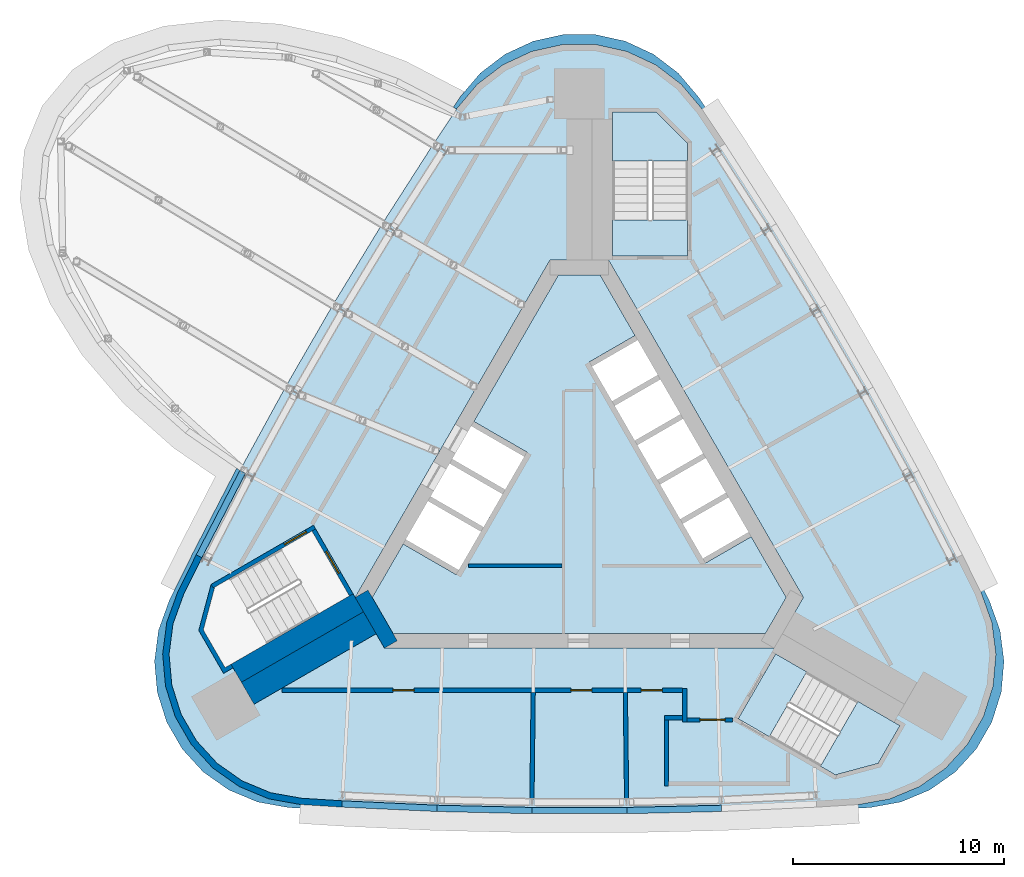
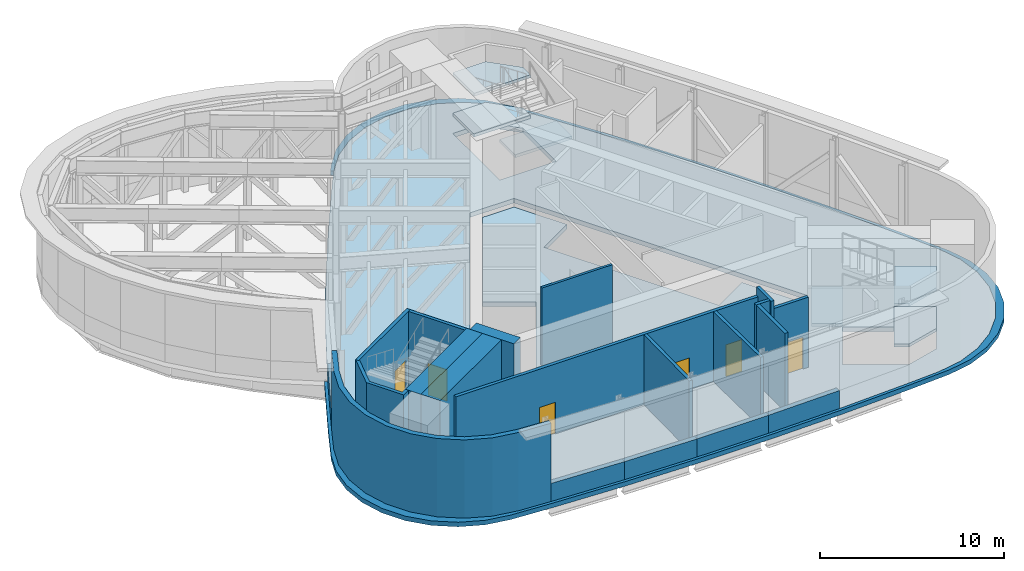
# One storey, part 6 of 11: 20 walls, 9 slabs, 6 doors, 6 openings, 2 elements without a shape of their own.
"""IFC4 building model written with IfcOpenShell, lengths in metres."""

from ifc_helpers import new_model, si_unit, direction, frame, frame_2d, origin, place, context, subcontext, project, spatial, polyline, rectangle, outline, extrude, material, layer, layer_set, type_object, element, fill, aggregate, save


model = new_model("IFC4")

# Units and contexts
model_context = context("Model", 3, precision=1e-05, world=origin(), true_north=direction((0.0, 1.0)))
body_context = subcontext(model_context, "Body", "Model", "MODEL_VIEW")
ifc_project = project(units=[si_unit("LENGTHUNIT", "METRE"), si_unit("AREAUNIT", "SQUARE_METRE"), si_unit("VOLUMEUNIT", "CUBIC_METRE"), si_unit("PLANEANGLEUNIT", "RADIAN"), si_unit("MASSUNIT", "GRAM", prefix="KILO")], contexts=[model_context])

# Site, building, storey
site_placement = place(None, origin())
site = spatial("IfcSite", under=ifc_project, at=site_placement, CompositionType="ELEMENT")
building_placement = place(site_placement, origin())
building = spatial("IfcBuilding", under=site, at=building_placement, Name="Noor Cloister Tower", CompositionType="ELEMENT")
storey_placement = place(building_placement, frame((0.0, 0.0, 258.0)))
storey = spatial("IfcBuildingStorey", under=building, at=storey_placement, Name="L66", CompositionType="ELEMENT", Elevation=258.0)

# Slabs
ifc_material_1 = material(Name="Concrete C40/50", Category="concrete")
ifc_layer_1 = layer(ifc_material_1, 0.300048828125)
ifc_layer_set_1 = layer_set([ifc_layer_1], Name="Core floor slab 300 C40/50")
slab_type_1 = type_object("IfcSlabType", Name="Core floor slab 300 C40/50", PredefinedType="FLOOR", material=ifc_layer_set_1)
slab_1_placement = place(storey_placement, frame((0.0, 0.0, -0.300048828125)))
element("IfcSlab", 1, at=slab_1_placement, inside=storey, type_object=slab_type_1, Name="Core floor L66", PredefinedType="FLOOR", context=body_context, shape_type="SweptSolid", body=[
    extrude(outline(polyline([(2.643798828125, 7.877197265625), (0.9814453125, 10.75634765625), (-0.9814453125, 10.75634765625), (-4.993896484375, 3.806884765625), (-2.482421875, 2.35693359375), (-5.832275390625, -3.4453125), (-8.34375, -1.995361328125), (-9.80615234375, -4.5283203125), (-8.82470703125, -6.228271484375), (8.82470703125, -6.228271484375), (9.80615234375, -4.5283203125), (8.143798828125, -1.64892578125), (5.978759765625, -2.89892578125), (0.478759765625, 6.627197265625), (2.643798828125, 7.877197265625)])), origin(), (0.0, 0.0, 1.0), 0.300048828125),
])
ifc_material_2 = material(Name="Concrete C40/50", Category="concrete")
ifc_layer_2 = layer(ifc_material_2, 0.300048828125)
ifc_layer_set_2 = layer_set([ifc_layer_2], Name="Floor slab 300 C40/50")
slab_type_2 = type_object("IfcSlabType", Name="Floor slab 300 C40/50", PredefinedType="FLOOR", material=ifc_layer_set_2)
slab_2_placement = place(storey_placement, frame((0.0, 0.0, -0.300048828125)))
element("IfcSlab", 2, at=slab_2_placement, inside=storey, type_object=slab_type_2, Name="Floor slab L66", PredefinedType="FLOOR", context=body_context, shape_type="SweptSolid", body=[
    extrude(outline(polyline([(5.809814453125, 18.609619140625), (4.830078125, 19.771484375), (3.62255859375, 20.69482421875), (2.244140625, 21.33544921875), (0.760009765625, 21.66357421875), (-0.760009765625, 21.66357421875), (-2.244140625, 21.33544921875), (-3.62255859375, 20.69482421875), (-4.830078125, 19.771484375), (-5.809814453125, 18.609619140625), (-6.9013671875, 16.967529296875), (-9.32958984375, 13.178955078125), (-11.669189453125, 9.335205078125), (-13.919189453125, 5.438232421875), (-16.078125, 1.489990234375), (-18.14501953125, -2.507080078125), (-19.021240234375, -4.2734375), (-19.53759765625, -5.702880859375), (-19.7333984375, -7.210205078125), (-19.59912109375, -8.724365234375), (-19.14111328125, -10.173583984375), (-18.381103515625, -11.489990234375), (-17.35498046875, -12.611083984375), (-16.11083984375, -13.484619140625), (-14.707763671875, -14.068603515625), (-13.21142578125, -14.336181640625), (-11.24365234375, -14.46044921875), (-6.74853515625, -14.669189453125), (-2.25, -14.7734375), (2.25, -14.7734375), (6.74853515625, -14.669189453125), (11.24365234375, -14.46044921875), (13.21142578125, -14.336181640625), (14.707763671875, -14.068603515625), (16.11083984375, -13.484619140625), (17.35498046875, -12.611083984375), (18.381103515625, -11.489990234375), (19.14111328125, -10.173583984375), (19.59912109375, -8.724365234375), (19.7333984375, -7.210205078125), (19.53759765625, -5.702880859375), (19.021240234375, -4.2734375), (18.14501953125, -2.507080078125), (16.078125, 1.489990234375), (13.919189453125, 5.438232421875), (11.669189453125, 9.335205078125), (9.32958984375, 13.178955078125), (6.9013671875, 16.967529296875), (5.809814453125, 18.609619140625)]), holes=[polyline([(8.999755859375, -11.126220703125), (12.131591796875, -12.934326171875), (14.1572265625, -12.3916015625), (15.19091796875, -10.601318359375), (10.774658203125, -8.0517578125), (8.999755859375, -11.126220703125)]), polyline([(-17.81005859375, -6.064697265625), (-16.776611328125, -7.85498046875), (-12.3603515625, -5.305419921875), (-14.13525390625, -2.23095703125), (-16.662841796875, -3.690185546875), (-17.267333984375, -4.039306640625), (-17.81005859375, -6.064697265625)]), polyline([(-10.6142578125, -4.5283203125), (-9.228759765625, -6.92822265625), (9.228759765625, -6.92822265625), (10.6142578125, -4.5283203125), (1.3857421875, 11.456298828125), (-1.3857421875, 11.456298828125), (-10.6142578125, -4.5283203125)]), polyline([(3.65283203125, 18.456298828125), (1.585693359375, 18.456298828125), (1.585693359375, 13.35693359375), (5.135498046875, 13.35693359375), (5.135498046875, 16.9736328125), (3.65283203125, 18.456298828125)])]), origin(), (0.0, 0.0, 1.0), 0.300048828125),
])
ifc_material_3 = material(Name="Concrete C40/50", Category="concrete")
ifc_layer_3 = layer(ifc_material_3, 0.300048828125)
ifc_layer_set_3 = layer_set([ifc_layer_3], Name="Ledge roof 300 C40/50")
slab_type_3 = type_object("IfcSlabType", Name="Ledge roof 300 C40/50", PredefinedType="ROOF", material=ifc_layer_set_3)
slab_3_placement = place(storey_placement, frame((0.0, 0.0, -0.300048828125)))
element("IfcSlab", 3, at=slab_3_placement, inside=storey, type_object=slab_type_3, Name="Ledge roof L66", PredefinedType="ROOF", context=body_context, shape_type="SweptSolid", body=[
    extrude(outline(polyline([(9.4833984375, 13.267822265625), (7.05712890625, 17.0576171875), (5.643798828125, 19.180419921875), (4.690673828125, 20.306640625), (3.51708984375, 21.200927734375), (2.178466796875, 21.821533203125), (0.73779296875, 22.139404296875), (-0.73779296875, 22.139404296875), (-2.178466796875, 21.821533203125), (-3.51708984375, 21.200927734375), (-4.690673828125, 20.306640625), (-5.643798828125, 19.180419921875), (-5.968994140625, 18.692138671875), (-5.809814453125, 18.609619140625), (-4.830078125, 19.771484375), (-3.62255859375, 20.69482421875), (-2.244140625, 21.33544921875), (-0.760009765625, 21.66357421875), (0.760009765625, 21.66357421875), (2.244140625, 21.33544921875), (3.62255859375, 20.69482421875), (4.830078125, 19.771484375), (5.809814453125, 18.609619140625), (6.9013671875, 16.967529296875), (9.32958984375, 13.178955078125), (11.669189453125, 9.335205078125), (13.919189453125, 5.438232421875), (16.078125, 1.489990234375), (18.14501953125, -2.507080078125), (19.021240234375, -4.2734375), (19.53759765625, -5.702880859375), (19.7333984375, -7.210205078125), (19.59912109375, -8.724365234375), (19.14111328125, -10.173583984375), (18.381103515625, -11.489990234375), (17.35498046875, -12.611083984375), (16.11083984375, -13.484619140625), (14.707763671875, -14.068603515625), (13.21142578125, -14.336181640625), (11.24365234375, -14.46044921875), (6.74853515625, -14.669189453125), (2.25, -14.7734375), (-2.25, -14.7734375), (-6.74853515625, -14.669189453125), (-11.24365234375, -14.46044921875), (-13.21142578125, -14.336181640625), (-14.707763671875, -14.068603515625), (-16.11083984375, -13.484619140625), (-17.35498046875, -12.611083984375), (-18.381103515625, -11.489990234375), (-19.14111328125, -10.173583984375), (-19.59912109375, -8.724365234375), (-19.7333984375, -7.210205078125), (-19.53759765625, -5.702880859375), (-19.021240234375, -4.2734375), (-18.14501953125, -2.507080078125), (-16.078125, 1.489990234375), (-16.225341796875, 1.591064453125), (-16.232177734375, 1.578857421875), (-18.301025390625, -2.417236328125), (-19.4326171875, -4.702392578125), (-19.931396484375, -6.091064453125), (-20.119140625, -7.5546875), (-19.9873046875, -9.024169921875), (-19.542236328125, -10.430908203125), (-18.804443359375, -11.70849609375), (-17.808837890625, -12.797607421875), (-16.60205078125, -13.646484375), (-15.24072265625, -14.21533203125), (-13.788818359375, -14.47802734375), (-11.243896484375, -14.640625), (-6.748779296875, -14.846923828125), (-2.25, -14.949951171875), (2.25, -14.949951171875), (6.748779296875, -14.846923828125), (11.243896484375, -14.640625), (13.788818359375, -14.47802734375), (15.24072265625, -14.21533203125), (16.60205078125, -13.646484375), (17.808837890625, -12.797607421875), (18.804443359375, -11.70849609375), (19.542236328125, -10.430908203125), (19.9873046875, -9.024169921875), (20.119140625, -7.5546875), (19.931396484375, -6.091064453125), (19.4326171875, -4.702392578125), (18.301025390625, -2.417236328125), (16.232177734375, 1.578857421875), (14.072021484375, 5.5263671875), (11.822021484375, 9.423583984375), (9.4833984375, 13.267822265625)])), origin(), (0.0, 0.0, 1.0), 0.300048828125),
])

# Stair, slabs
ifc_material_4 = material(Name="Concrete C40/50", Category="concrete")
stair_type = type_object("IfcStairType", Name="Exit stair 32 risers", PredefinedType="HALF_TURN_STAIR", material=ifc_material_4)
stair_1_placement = place(storey_placement, origin())
stair_1 = element("IfcStair", 4, at=stair_1_placement, inside=storey, type_object=stair_type, Name="Exit stair ST1 L66", PredefinedType="HALF_TURN_STAIR")
ifc_material_5 = material(Name="Concrete C40/50", Category="concrete")
ifc_layer_4 = layer(ifc_material_5, 0.199951171875)
ifc_layer_set_4 = layer_set([ifc_layer_4], Name="Stair landing 200 C40/50")
slab_type_4 = type_object("IfcSlabType", Name="Stair landing 200 C40/50", PredefinedType="LANDING", material=ifc_layer_set_4)
slab_4_placement = place(storey_placement, frame((0.0, 0.0, 1.14990234375)))
slab_4 = element("IfcSlab", 5, at=slab_4_placement, type_object=slab_type_4, Name="ST1 landing 1", PredefinedType="LANDING", context=body_context, shape_type="SweptSolid", body=[
    extrude(outline(polyline([(5.135498046875, 16.15576171875), (5.135498046875, 16.9736328125), (3.65283203125, 18.456298828125), (1.585693359375, 18.456298828125), (1.585693359375, 16.15576171875), (5.135498046875, 16.15576171875)])), origin(), (0.0, 0.0, 1.0), 0.2001953125),
])
slab_5_placement = place(storey_placement, frame((0.0, 0.0, 2.5)))
slab_5 = element("IfcSlab", 6, at=slab_5_placement, type_object=slab_type_4, Name="ST1 landing 2", PredefinedType="LANDING", context=body_context, shape_type="SweptSolid", body=[
    extrude(outline(polyline([(1.585693359375, 13.35693359375), (1.585693359375, 11.656494140625), (5.135498046875, 11.656494140625), (5.135498046875, 13.35693359375), (1.585693359375, 13.35693359375)])), origin(), (0.0, 0.0, 1.0), 0.199951171875),
])
slab_6_placement = place(storey_placement, frame((0.0, 0.0, 3.85009765625)))
slab_6 = element("IfcSlab", 7, at=slab_6_placement, type_object=slab_type_4, Name="ST1 landing 3", PredefinedType="LANDING", context=body_context, shape_type="SweptSolid", body=[
    extrude(outline(polyline([(5.135498046875, 16.15576171875), (5.135498046875, 16.9736328125), (3.65283203125, 18.456298828125), (1.585693359375, 18.456298828125), (1.585693359375, 16.15576171875), (5.135498046875, 16.15576171875)])), origin(), (0.0, 0.0, 1.0), 0.199951171875),
])
aggregate(stair_1, [slab_4, slab_5, slab_6])

stair_2_placement = place(storey_placement, origin())
stair_2 = element("IfcStair", 8, at=stair_2_placement, inside=storey, type_object=stair_type, Name="Exit stair ST3 L66", PredefinedType="HALF_TURN_STAIR")
slab_7_placement = place(storey_placement, frame((0.0, 0.0, 1.14990234375)))
slab_7 = element("IfcSlab", 9, at=slab_7_placement, type_object=slab_type_4, Name="ST3 landing 1", PredefinedType="LANDING", context=body_context, shape_type="SweptSolid", body=[
    extrude(outline(polyline([(11.423583984375, -12.525390625), (12.131591796875, -12.934326171875), (14.1572265625, -12.3916015625), (15.19091796875, -10.601318359375), (13.198486328125, -9.451171875), (11.423583984375, -12.525390625)])), origin(), (0.0, 0.0, 1.0), 0.2001953125),
])
slab_8_placement = place(storey_placement, frame((0.0, 0.0, 2.5)))
slab_8 = element("IfcSlab", 10, at=slab_8_placement, type_object=slab_type_4, Name="ST3 landing 2", PredefinedType="LANDING", context=body_context, shape_type="SweptSolid", body=[
    extrude(outline(polyline([(10.774658203125, -8.0517578125), (9.302001953125, -7.201416015625), (7.52685546875, -10.27587890625), (8.999755859375, -11.126220703125), (10.774658203125, -8.0517578125)])), origin(), (0.0, 0.0, 1.0), 0.199951171875),
])
slab_9_placement = place(storey_placement, frame((0.0, 0.0, 3.85009765625)))
slab_9 = element("IfcSlab", 11, at=slab_9_placement, type_object=slab_type_4, Name="ST3 landing 3", PredefinedType="LANDING", context=body_context, shape_type="SweptSolid", body=[
    extrude(outline(polyline([(11.423583984375, -12.525390625), (12.131591796875, -12.934326171875), (14.1572265625, -12.3916015625), (15.19091796875, -10.601318359375), (13.198486328125, -9.451171875), (11.423583984375, -12.525390625)])), origin(), (0.0, 0.0, 1.0), 0.199951171875),
])
aggregate(stair_2, [slab_7, slab_8, slab_9])

# Walls
ifc_material_6 = material(Name="Concrete C60/75", Category="concrete")
ifc_layer_5 = layer(ifc_material_6, 1.199951171875)
ifc_layer_set_5 = layer_set([ifc_layer_5], Name="Buttress wall 1200 C60/75")
wall_type_1 = type_object("IfcWallType", Name="Buttress wall 1200 C60/75", PredefinedType="SHEAR", material=ifc_layer_set_5)
wall_1_placement = place(storey_placement, frame((-9.921630859375, -5.728271484375, -0.300048828125), z_axis=(0.0, 0.0, 1.0), x_axis=(-0.866032176823, -0.499988268569, 0.0)))
element("IfcWall", 12, at=wall_1_placement, inside=storey, type_object=wall_type_1, Name="Buttress wall SW L66", PredefinedType="SHEAR", context=body_context, shape_type="SweptSolid", body=[
    extrude(rectangle(XDim=6.678466796875, YDim=1.199951171875, at=frame_2d((3.33935546875, 0.0))), origin(), (0.0, 0.0, 1.0), 5.5),
])
ifc_material_7 = material(Name="Concrete C30/37", Category="concrete")
ifc_layer_6 = layer(ifc_material_7, 0.14990234375)
ifc_layer_set_6 = layer_set([ifc_layer_6], Name="Core partition 150 C30/37")
wall_type_2 = type_object("IfcWallType", Name="Core partition 150 C30/37", PredefinedType="PARTITIONING", material=ifc_layer_set_6)
wall_2_placement = place(storey_placement, frame((-5.2578125, -3.0283203125, 0.0), z_axis=(0.0, 0.0, 1.0), x_axis=(1.0, 0.0, 0.0)))
element("IfcWall", 13, at=wall_2_placement, inside=storey, type_object=wall_type_2, Name="Core room partition L66 1", PredefinedType="PARTITIONING", context=body_context, shape_type="SweptSolid", body=[
    extrude(rectangle(XDim=4.42919921875, YDim=0.14990234375, at=frame_2d((2.214599609375, 0.0))), origin(), (0.0, 0.0, 1.0), 5.199951171875),
])
ifc_material_8 = material(Name="Concrete C60/75", Category="concrete")
ifc_layer_7 = layer(ifc_material_8, 0.699951171875)
ifc_layer_set_7 = layer_set([ifc_layer_7], Name="Core wall 700 C60/75")
wall_type_3 = type_object("IfcWallType", Name="Core wall 700 C60/75", PredefinedType="SHEAR", material=ifc_layer_set_7)
wall_3_placement = place(storey_placement, frame((-10.311279296875, -4.353271484375, -0.300048828125), z_axis=(0.0, 0.0, 1.0), x_axis=(0.500042739161, -0.866000726912, 0.0)))
element("IfcWall", 14, at=wall_3_placement, inside=storey, type_object=wall_type_3, Name="Core wall L66 6", PredefinedType="SHEAR", context=body_context, shape_type="SweptSolid", body=[
    extrude(rectangle(XDim=2.771240234375, YDim=0.699951171875, at=frame_2d((1.3857421875, 0.0))), origin(), (0.0, 0.0, 1.0), 5.5),
])
ifc_material_9 = material(Name="Limestone", Category="masonry")
ifc_layer_8 = layer(ifc_material_9, 0.300048828125)
ifc_layer_set_8 = layer_set([ifc_layer_8], Name="Limestone cladding 300")
wall_type_4 = type_object("IfcWallType", Name="Limestone cladding 300", PredefinedType="NOTDEFINED", material=ifc_layer_set_8)
wall_4_placement = place(storey_placement, origin())
element("IfcWall", 15, at=wall_4_placement, inside=storey, type_object=wall_type_4, Name="Limestone pier cladding L66 1.1", PredefinedType="NOTDEFINED", context=body_context, shape_type="SweptSolid", body=[
    extrude(outline(polyline([(-18.14501953125, -2.507080078125), (-19.021240234375, -4.2734375), (-19.53759765625, -5.702880859375), (-19.7333984375, -7.210205078125), (-19.59912109375, -8.724365234375), (-19.14111328125, -10.173583984375), (-18.381103515625, -11.489990234375), (-17.35498046875, -12.611083984375), (-16.11083984375, -13.484619140625), (-14.707763671875, -14.068603515625), (-13.21142578125, -14.336181640625), (-11.24365234375, -14.46044921875), (-11.224853515625, -14.1611328125), (-13.175537109375, -14.037841796875), (-14.62255859375, -13.779052734375), (-15.96533203125, -13.22021484375), (-17.15576171875, -12.384521484375), (-18.1376953125, -11.3115234375), (-18.864990234375, -10.052001953125), (-19.30322265625, -8.6650390625), (-19.431640625, -7.21630859375), (-19.244384765625, -5.77392578125), (-18.744873046875, -4.391357421875), (-17.876220703125, -2.640380859375), (-18.14501953125, -2.507080078125)])), origin(), (0.0, 0.0, 1.0), 5.199951171875),
])
ifc_material_10 = material(Name="Limestone", Category="masonry")
ifc_layer_9 = layer(ifc_material_10, 0.300048828125)
ifc_layer_set_9 = layer_set([ifc_layer_9], Name="Limestone panel wall 300")
wall_type_5 = type_object("IfcWallType", Name="Limestone panel wall 300", PredefinedType="NOTDEFINED", material=ifc_layer_set_9)
wall_5_placement = place(storey_placement, origin())
element("IfcWall", 16, at=wall_5_placement, inside=storey, type_object=wall_type_5, Name="Limestone panel wall L66 2.1", PredefinedType="NOTDEFINED", context=body_context, shape_type="SweptSolid", body=[
    extrude(outline(polyline([(-16.078125, 1.489990234375), (-18.14501953125, -2.507080078125), (-17.87841796875, -2.644775390625), (-15.811767578125, 1.352294921875), (-16.078125, 1.489990234375)])), origin(), (0.0, 0.0, 1.0), 1.199951171875),
])
wall_6_placement = place(storey_placement, origin())
element("IfcWall", 17, at=wall_6_placement, inside=storey, type_object=wall_type_5, Name="Limestone panel wall L66 3.1", PredefinedType="NOTDEFINED", context=body_context, shape_type="SweptSolid", body=[
    extrude(outline(polyline([(-11.24365234375, -14.46044921875), (-6.74853515625, -14.669189453125), (-6.734619140625, -14.369384765625), (-11.229736328125, -14.160888671875), (-11.24365234375, -14.46044921875)])), origin(), (0.0, 0.0, 1.0), 1.199951171875),
])
wall_7_placement = place(storey_placement, origin())
element("IfcWall", 18, at=wall_7_placement, inside=storey, type_object=wall_type_5, Name="Limestone panel wall L66 3.2", PredefinedType="NOTDEFINED", context=body_context, shape_type="SweptSolid", body=[
    extrude(outline(polyline([(-6.74853515625, -14.669189453125), (-2.25, -14.7734375), (-2.242919921875, -14.4736328125), (-6.74169921875, -14.369140625), (-6.74853515625, -14.669189453125)])), origin(), (0.0, 0.0, 1.0), 1.199951171875),
])
wall_8_placement = place(storey_placement, origin())
element("IfcWall", 19, at=wall_8_placement, inside=storey, type_object=wall_type_5, Name="Limestone panel wall L66 3.3", PredefinedType="NOTDEFINED", context=body_context, shape_type="SweptSolid", body=[
    extrude(outline(polyline([(-2.25, -14.7734375), (2.25, -14.7734375), (2.25, -14.473388671875), (-2.25, -14.473388671875), (-2.25, -14.7734375)])), origin(), (0.0, 0.0, 1.0), 1.199951171875),
])
wall_9_placement = place(storey_placement, origin())
element("IfcWall", 20, at=wall_9_placement, inside=storey, type_object=wall_type_5, Name="Limestone panel wall L66 3.4", PredefinedType="NOTDEFINED", context=body_context, shape_type="SweptSolid", body=[
    extrude(outline(polyline([(2.25, -14.7734375), (6.74853515625, -14.669189453125), (6.74169921875, -14.369140625), (2.242919921875, -14.4736328125), (2.25, -14.7734375)])), origin(), (0.0, 0.0, 1.0), 1.199951171875),
])

# Wall, opening, door
ifc_material_11 = material(Name="Concrete C60/75", Category="concrete")
ifc_layer_10 = layer(ifc_material_11, 0.199951171875)
ifc_layer_set_10 = layer_set([ifc_layer_10], Name="Stair enclosure wall 200 C60/75")
wall_type_6 = type_object("IfcWallType", Name="Stair enclosure wall 200 C60/75", PredefinedType="SHEAR", material=ifc_layer_set_10)
wall_10_placement = place(storey_placement, frame((-12.575927734375, -1.33056640625, -0.300048828125), z_axis=(0.0, 0.0, 1.0), x_axis=(0.499970499736, -0.8660424351, 0.0)))
wall_10 = element("IfcWall", 21, at=wall_10_placement, inside=storey, type_object=wall_type_6, Name="Stair enclosure wall ST2 L66 near end", PredefinedType="SHEAR", context=body_context, shape_type="SweptSolid", body=[
    extrude(rectangle(XDim=3.550048828125, YDim=0.199951171875, at=frame_2d((1.77490234375, 0.0))), origin(), (0.0, 0.0, 1.0), 5.5),
])
opening_1_placement = place(wall_10_placement, frame((1.175048828125, 0.0, 0.300048828125)))
opening_1 = element("IfcOpeningElement", 22, at=opening_1_placement, cuts=wall_10, Name="Opening L66-ST2L", PredefinedType="OPENING", context=body_context, shape_type="SweptSolid", body=[
    extrude(rectangle(XDim=1.199951171875, YDim=2.10009765625, at=frame_2d((0.60009765625, 1.050048828125))), frame((0.0, 0.10986328125, 0.0), z_axis=(0.0, -1.0, 0.0), x_axis=(1.0, 0.0, 0.0)), (0.0, 0.0, 1.0), 0.219970703125),
])
ifc_material_12 = material(Name="Steel", Category="steel")
door_type_1 = type_object("IfcDoorType", Name="Stair door 1200 x 2100 FD120", OperationType="SINGLE_SWING_LEFT", PredefinedType="DOOR", material=ifc_material_12)
door_1_placement = place(opening_1_placement, origin())
door_1 = element("IfcDoor", 23, at=door_1_placement, inside=storey, type_object=door_type_1, Name="Stair door ST2 L66", OperationType="SINGLE_SWING_RIGHT", OverallHeight=2.10009765625, OverallWidth=1.199951171875, PredefinedType="DOOR", context=body_context, shape_type="SweptSolid", body=[
    extrude(rectangle(XDim=1.199951171875, YDim=2.10009765625, at=frame_2d((0.60009765625, 1.050048828125))), frame((0.0, 0.02490234375, 0.0), z_axis=(0.0, -1.0, 0.0), x_axis=(1.0, 0.0, 0.0)), (0.0, 0.0, 1.0), 0.050048828125),
])
fill(opening_1, door_1)

wall_11_placement = place(storey_placement, frame((-12.539306640625, -1.194091796875, -0.300048828125), z_axis=(0.0, 0.0, 1.0), x_axis=(-0.866045472092, -0.499965239061, 0.0)))
wall_11 = element("IfcWall", 24, at=wall_11_placement, inside=storey, type_object=wall_type_6, Name="Stair enclosure wall ST2 L66 outer side", PredefinedType="SHEAR", context=body_context, shape_type="SweptSolid", body=[
    extrude(rectangle(XDim=5.60009765625, YDim=0.199951171875, at=frame_2d((2.800048828125, 0.0))), origin(), (0.0, 0.0, 1.0), 5.5),
])
opening_2_placement = place(wall_11_placement, frame((0.449951171875, 0.0, 0.300048828125)))
opening_2 = element("IfcOpeningElement", 25, at=opening_2_placement, cuts=wall_11, Name="Opening L66-ST2C", PredefinedType="OPENING", context=body_context, shape_type="SweptSolid", body=[
    extrude(rectangle(XDim=1.199951171875, YDim=2.10009765625, at=frame_2d((0.60009765625, 1.050048828125))), frame((0.0, 0.10986328125, 0.0), z_axis=(0.0, -1.0, 0.0), x_axis=(1.0, 0.0, 0.0)), (0.0, 0.0, 1.0), 0.219970703125),
])
door_2_placement = place(opening_2_placement, origin())
door_2 = element("IfcDoor", 26, at=door_2_placement, inside=storey, type_object=door_type_1, Name="Stair door ST2 L66", OperationType="SINGLE_SWING_LEFT", OverallHeight=2.10009765625, OverallWidth=1.199951171875, PredefinedType="DOOR", context=body_context, shape_type="SweptSolid", body=[
    extrude(rectangle(XDim=1.199951171875, YDim=2.10009765625, at=frame_2d((0.60009765625, 1.050048828125))), frame((0.0, 0.02490234375, 0.0), z_axis=(0.0, -1.0, 0.0), x_axis=(1.0, 0.0, 0.0)), (0.0, 0.0, 1.0), 0.050048828125),
])
fill(opening_2, door_2)

# Walls
ifc_material_13 = material(Name="Concrete C60/75", Category="concrete")
ifc_layer_11 = layer(ifc_material_13, 0.986083984375)
ifc_layer_set_11 = layer_set([ifc_layer_11], Name="Stair enclosure wall 986 C60/75")
wall_type_7 = type_object("IfcWallType", Name="Stair enclosure wall 986 C60/75", PredefinedType="SHEAR", material=ifc_layer_set_11)
wall_12_placement = place(storey_placement, frame((-10.468017578125, -4.78173828125, -0.300048828125), z_axis=(0.0, 0.0, 1.0), x_axis=(-0.866016347338, -0.500015685897, 0.0)))
element("IfcWall", 27, at=wall_12_placement, inside=storey, type_object=wall_type_7, Name="Stair enclosure wall ST2 L66 riser side", PredefinedType="SHEAR", context=body_context, shape_type="SweptSolid", body=[
    extrude(rectangle(XDim=6.678466796875, YDim=0.985595703125, at=frame_2d((3.33935546875, 0.0))), origin(), (0.0, 0.0, 1.0), 5.5),
])
ifc_material_14 = material(Name="Concrete C60/75", Category="concrete")
wall_type_8 = type_object("IfcWallType", Name="Stair far end wall C60/75", PredefinedType="SHEAR", material=ifc_material_14)
wall_13_placement = place(storey_placement, frame((0.0, 0.0, -0.300048828125)))
element("IfcWall", 28, at=wall_13_placement, inside=storey, type_object=wall_type_8, Name="Stair enclosure wall ST2 L66 far end", PredefinedType="SHEAR", context=body_context, shape_type="SweptSolid", body=[
    extrude(outline(polyline([(-17.439208984375, -3.907470703125), (-18.024658203125, -6.093017578125), (-16.849609375, -8.128173828125), (-16.398193359375, -7.867431640625), (-16.498291015625, -7.6943359375), (-16.498291015625, -7.6943359375), (-16.776611328125, -7.85498046875), (-17.81005859375, -6.064697265625), (-17.267333984375, -4.039306640625), (-17.339111328125, -4.08056640625), (-17.339111328125, -4.08056640625), (-17.339111328125, -4.08056640625), (-17.339111328125, -4.08056640625), (-17.339111328125, -4.08056640625), (-17.339111328125, -4.08056640625), (-17.339111328125, -4.08056640625), (-17.339111328125, -4.08056640625), (-17.339111328125, -4.08056640625), (-17.339111328125, -4.08056640625), (-17.339111328125, -4.08056640625), (-17.339111328125, -4.08056640625), (-17.339111328125, -4.08056640625), (-17.339111328125, -4.08056640625), (-17.339111328125, -4.08056640625), (-17.339111328125, -4.08056640625), (-17.339111328125, -4.08056640625), (-17.439208984375, -3.907470703125)])), origin(), (0.0, 0.0, 1.0), 5.5),
])
ifc_material_15 = material(Name="Concrete block wall, 200 mm", Category="concrete")
ifc_layer_12 = layer(ifc_material_15, 0.199951171875)
ifc_layer_set_12 = layer_set([ifc_layer_12], Name="Upper floor plant room wall 200")
wall_type_9 = type_object("IfcWallType", Name="Upper floor plant room wall 200", PredefinedType="PARTITIONING", material=ifc_layer_set_12)
wall_14_placement = place(storey_placement, frame((4.03369140625, -10.228271484375, 0.0), z_axis=(0.0, 0.0, 1.0), x_axis=(1.0, 0.0, 0.0)))
element("IfcWall", 29, at=wall_14_placement, inside=storey, type_object=wall_type_9, Name="Upper floor plant room wall 200 L66 004", PredefinedType="PARTITIONING", context=body_context, shape_type="SweptSolid", body=[
    extrude(rectangle(XDim=0.8662109375, YDim=0.199951171875, at=frame_2d((0.43310546875, 0.0))), origin(), (0.0, 0.0, 1.0), 5.199951171875),
])
wall_15_placement = place(storey_placement, frame((5.0, -10.42822265625, 0.0), z_axis=(0.0, 0.0, 1.0), x_axis=(0.0, 1.0, 0.0)))
element("IfcWall", 30, at=wall_15_placement, inside=storey, type_object=wall_type_9, Name="Upper floor plant room wall 200 L66 005", PredefinedType="PARTITIONING", context=body_context, shape_type="SweptSolid", body=[
    extrude(rectangle(XDim=1.59814453125, YDim=0.199951171875, at=frame_2d((0.799072265625, 0.0))), origin(), (0.0, 0.0, 1.0), 5.199951171875),
])

# Wall, opening, door
wall_16_placement = place(storey_placement, frame((5.10009765625, -10.328125, 0.0), z_axis=(0.0, 0.0, 1.0), x_axis=(1.0, 0.0, 0.0)))
wall_16 = element("IfcWall", 31, at=wall_16_placement, inside=storey, type_object=wall_type_9, Name="Upper floor plant room wall 200 L66 006", PredefinedType="PARTITIONING", context=body_context, shape_type="SweptSolid", body=[
    extrude(rectangle(XDim=2.153564453125, YDim=0.199951171875, at=frame_2d((1.07666015625, 0.0))), origin(), (0.0, 0.0, 1.0), 4.652099609375),
])
opening_3_placement = place(wall_16_placement, frame((0.61474609375, 0.0, 0.0)))
opening_3 = element("IfcOpeningElement", 32, at=opening_3_placement, cuts=wall_16, Name="Opening L66-006", PredefinedType="OPENING", context=body_context, shape_type="SweptSolid", body=[
    extrude(rectangle(XDim=1.199951171875, YDim=2.10009765625, at=frame_2d((0.60009765625, 1.050048828125))), frame((0.0, 0.10986328125, 0.0), z_axis=(0.0, -1.0, 0.0), x_axis=(1.0, 0.0, 0.0)), (0.0, 0.0, 1.0), 0.219970703125),
])
ifc_material_16 = material(Name="Timber door leaf with steel frame", Category="steel")
door_type_2 = type_object("IfcDoorType", Name="Protected lobby door 1200", OperationType="NOTDEFINED", PredefinedType="DOOR", material=ifc_material_16)
door_3_placement = place(opening_3_placement, origin())
door_3 = element("IfcDoor", 33, at=door_3_placement, inside=storey, type_object=door_type_2, Name="Protected lobby door 1200 L66-006", OperationType="SINGLE_SWING_RIGHT", OverallHeight=2.10009765625, OverallWidth=1.199951171875, PredefinedType="DOOR", context=body_context, shape_type="SweptSolid", body=[
    extrude(rectangle(XDim=1.199951171875, YDim=2.10009765625, at=frame_2d((0.60009765625, 1.050048828125))), frame((0.0, 0.02490234375, 0.0), z_axis=(0.0, -1.0, 0.0), x_axis=(1.0, 0.0, 0.0)), (0.0, 0.0, 1.0), 0.050048828125),
])
fill(opening_3, door_3)

# Wall, openings, doors
wall_17_placement = place(storey_placement, frame((-14.0908203125, -8.92822265625, 0.0), z_axis=(0.0, 0.0, 1.0), x_axis=(1.0, 0.0, 0.0)))
wall_17 = element("IfcWall", 34, at=wall_17_placement, inside=storey, type_object=wall_type_9, Name="Upper floor plant room wall 200 L66 007", PredefinedType="PARTITIONING", context=body_context, shape_type="SweptSolid", body=[
    extrude(rectangle(XDim=18.99072265625, YDim=0.199951171875, at=frame_2d((9.495361328125, 0.0))), origin(), (0.0, 0.0, 1.0), 4.652099609375),
])
opening_4_placement = place(wall_17_placement, frame((5.265869140625, 0.0, 0.0)))
opening_4 = element("IfcOpeningElement", 35, at=opening_4_placement, cuts=wall_17, Name="Opening L66-003", PredefinedType="OPENING", context=body_context, shape_type="SweptSolid", body=[
    extrude(rectangle(XDim=1.0, YDim=2.10009765625, at=frame_2d((0.5, 1.050048828125))), frame((0.0, 0.10986328125, 0.0), z_axis=(0.0, -1.0, 0.0), x_axis=(1.0, 0.0, 0.0)), (0.0, 0.0, 1.0), 0.219970703125),
])
opening_5_placement = place(wall_17_placement, frame((13.693359375, 0.0, 0.0)))
opening_5 = element("IfcOpeningElement", 36, at=opening_5_placement, cuts=wall_17, Name="Opening L66-004", PredefinedType="OPENING", context=body_context, shape_type="SweptSolid", body=[
    extrude(rectangle(XDim=1.0, YDim=2.10009765625, at=frame_2d((0.5, 1.050048828125))), frame((0.0, 0.10986328125, 0.0), z_axis=(0.0, -1.0, 0.0), x_axis=(1.0, 0.0, 0.0)), (0.0, 0.0, 1.0), 0.219970703125),
])
opening_6_placement = place(wall_17_placement, frame((17.025634765625, 0.0, 0.0)))
opening_6 = element("IfcOpeningElement", 37, at=opening_6_placement, cuts=wall_17, Name="Opening L66-005", PredefinedType="OPENING", context=body_context, shape_type="SweptSolid", body=[
    extrude(rectangle(XDim=1.0, YDim=2.10009765625, at=frame_2d((0.5, 1.050048828125))), frame((0.0, 0.10986328125, 0.0), z_axis=(0.0, -1.0, 0.0), x_axis=(1.0, 0.0, 0.0)), (0.0, 0.0, 1.0), 0.219970703125),
])
ifc_material_17 = material(Name="Timber door leaf with steel frame", Category="steel")
door_type_3 = type_object("IfcDoorType", Name="Plant room door 1000", OperationType="NOTDEFINED", PredefinedType="DOOR", material=ifc_material_17)
door_4_placement = place(opening_4_placement, origin())
door_4 = element("IfcDoor", 38, at=door_4_placement, inside=storey, type_object=door_type_3, Name="Plant room door 1000 L66-003", OperationType="SINGLE_SWING_LEFT", OverallHeight=2.10009765625, OverallWidth=1.0, PredefinedType="DOOR", context=body_context, shape_type="SweptSolid", body=[
    extrude(rectangle(XDim=1.0, YDim=2.10009765625, at=frame_2d((0.5, 1.050048828125))), frame((0.0, 0.02490234375, 0.0), z_axis=(0.0, -1.0, 0.0), x_axis=(1.0, 0.0, 0.0)), (0.0, 0.0, 1.0), 0.050048828125),
])
fill(opening_4, door_4)
door_5_placement = place(opening_5_placement, origin())
door_5 = element("IfcDoor", 39, at=door_5_placement, inside=storey, type_object=door_type_3, Name="Plant room door 1000 L66-004", OperationType="SINGLE_SWING_RIGHT", OverallHeight=2.10009765625, OverallWidth=1.0, PredefinedType="DOOR", context=body_context, shape_type="SweptSolid", body=[
    extrude(rectangle(XDim=1.0, YDim=2.10009765625, at=frame_2d((0.5, 1.050048828125))), frame((0.0, 0.02490234375, 0.0), z_axis=(0.0, -1.0, 0.0), x_axis=(1.0, 0.0, 0.0)), (0.0, 0.0, 1.0), 0.050048828125),
])
fill(opening_5, door_5)
door_6_placement = place(opening_6_placement, origin())
door_6 = element("IfcDoor", 40, at=door_6_placement, inside=storey, type_object=door_type_3, Name="Plant room door 1000 L66-005", OperationType="SINGLE_SWING_RIGHT", OverallHeight=2.10009765625, OverallWidth=1.0, PredefinedType="DOOR", context=body_context, shape_type="SweptSolid", body=[
    extrude(rectangle(XDim=1.0, YDim=2.10009765625, at=frame_2d((0.5, 1.050048828125))), frame((0.0, 0.02490234375, 0.0), z_axis=(0.0, -1.0, 0.0), x_axis=(1.0, 0.0, 0.0)), (0.0, 0.0, 1.0), 0.050048828125),
])
fill(opening_6, door_6)

# Walls
for number, where, z_axis, x_axis, name in (
    (41, (-2.24169921875, -14.073486328125, 0.0), (0.0, 0.0, 1.0), (0.011566914048, 0.999933101012, 0.0), "Upper floor plant room wall 200 L66 008"),
    (42, (2.183349609375, -9.029296875, 0.0), (0.0, 0.0, 1.0), (0.011566914048, -0.999933101012, 0.0), "Upper floor plant room wall 200 L66 009"),
):
    element("IfcWall", number, at=place(storey_placement, frame(where, z_axis=z_axis, x_axis=x_axis)), inside=storey, type_object=wall_type_9, Name=name, PredefinedType="PARTITIONING", context=body_context, shape_type="SweptSolid", body=[
        extrude(rectangle(XDim=5.04443359375, YDim=0.199951171875, at=frame_2d((2.522216796875, 0.0))), origin(), (0.0, 0.0, 1.0), 4.652099609375),
    ])
wall_18_placement = place(storey_placement, frame((4.133544921875, -10.328125, 0.0), z_axis=(0.0, 0.0, 1.0), x_axis=(0.0, -1.0, 0.0)))
element("IfcWall", 43, at=wall_18_placement, inside=storey, type_object=wall_type_9, Name="Upper floor plant room wall 200 L66 010", PredefinedType="PARTITIONING", context=body_context, shape_type="SweptSolid", body=[
    extrude(rectangle(XDim=3.12158203125, YDim=0.199951171875, at=frame_2d((1.560791015625, 0.0))), origin(), (0.0, 0.0, 1.0), 5.199951171875),
])

save(model, "model.ifc")
